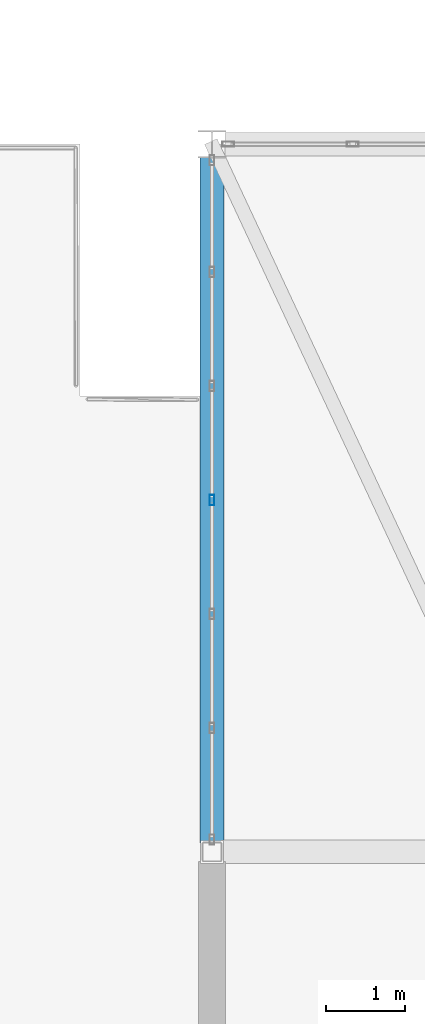
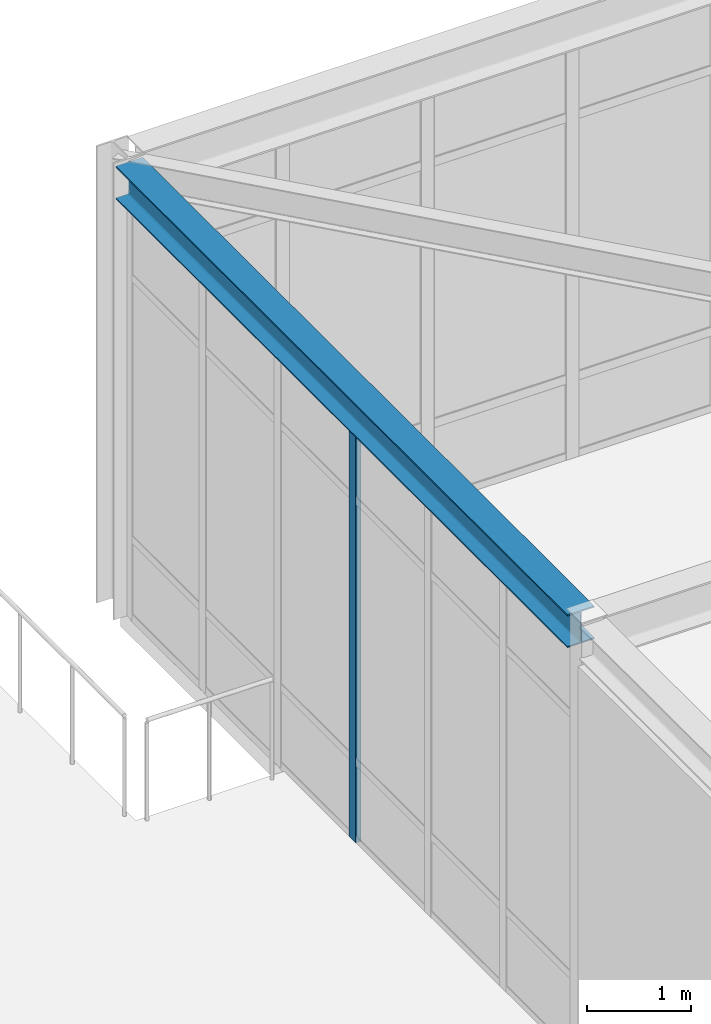
# One storey, part 64 of 121: 1 beam, 1 member, 1 element without a shape of its own.
"""IFC4 building model written with IfcOpenShell, lengths in metres."""

from ifc_helpers import new_model, si_unit, direction, frame, origin, origin_2d, place, context, subcontext, project, spatial, hollow_rectangle, i_section, extrude, material, material_profile, profile_set, type_object, element, aggregate, save


model = new_model("IFC4")

# Units and contexts
model_context = context("Model", 3, precision=1e-05, world=origin(), true_north=direction((0.0, 1.0)))
body_context = subcontext(model_context, "Body", "Model", "MODEL_VIEW")
ifc_project = project(units=[si_unit("LENGTHUNIT", "METRE"), si_unit("AREAUNIT", "SQUARE_METRE"), si_unit("VOLUMEUNIT", "CUBIC_METRE"), si_unit("PLANEANGLEUNIT", "RADIAN"), si_unit("MASSUNIT", "GRAM", prefix="KILO")], contexts=[model_context])

# Site, building, storey
site_placement = place(None, origin())
site = spatial("IfcSite", under=ifc_project, at=site_placement, CompositionType="ELEMENT")
building_placement = place(site_placement, origin())
building = spatial("IfcBuilding", under=site, at=building_placement, Name="Canglan Escarpment Cableway Terminal", CompositionType="ELEMENT")
storey_placement = place(building_placement, frame((0.0, 0.0, 24.60009765625)))
storey = spatial("IfcBuildingStorey", under=building, at=storey_placement, Name="L05", CompositionType="ELEMENT", Elevation=24.60009765625)

# Beam
ifc_material_1 = material(Name="Steel Q355B", Category="steel")
ifc_material_profile_1 = material_profile(ifc_material_1, i_section(OverallWidth=0.300048828125, OverallDepth=0.389892578125, WebThickness=0.010009765625, FlangeThickness=0.01611328125, FilletRadius=0.02197265625, at=origin_2d()), Name="HM 390x300x10x16")
ifc_profile_set_1 = profile_set([ifc_material_profile_1], Name="Steel Q355B")
beam_type = type_object("IfcBeamType", Name="BM-HM390", PredefinedType="BEAM", material=ifc_profile_set_1)
beam_placement = place(storey_placement, frame((119.89990234375, 106.114990234375, 5.139892578125), z_axis=(0.0, 1.0, 0.0), x_axis=(-1.0, 0.0, 0.0)))
element("IfcBeam", 1, at=beam_placement, inside=storey, type_object=beam_type, Name="Drive House roof transverse tie girder B-11", PredefinedType="BEAM", context=body_context, shape_type="SweptSolid", body=[
    extrude(i_section(OverallWidth=0.300048828125, OverallDepth=0.389892578125, WebThickness=0.010009765625, FlangeThickness=0.01611328125, FilletRadius=0.02197265625, at=origin_2d()), origin(), (0.0, 0.0, 1.0), 8.719970703125),
])

# Curtain wall, member
ifc_material_2 = material(Name="Anodized bronze aluminium and Low-E double glazing", Category="aluminium")
curtain_wall_type = type_object("IfcCurtainWallType", Name="CW-BAY-8700x4875", PredefinedType="NOTDEFINED", material=ifc_material_2)
curtain_wall_placement = place(storey_placement, origin())
curtain_wall = element("IfcCurtainWall", 2, at=curtain_wall_placement, inside=storey, type_object=curtain_wall_type, Name="Classical bay-between-piers glazed curtain wall CW-61", PredefinedType="NOTDEFINED")
ifc_material_3 = material(Name="Thermally broken anodized aluminium 6063-T6", Category="aluminium")
ifc_material_profile_2 = material_profile(ifc_material_3, hollow_rectangle(XDim=0.06005859375, YDim=0.1298828125, WallThickness=0.0029296875, InnerFilletRadius=0.0029296875, OuterFilletRadius=0.006103515625, at=origin_2d()), Name="ALU-MULL 60x130x3")
ifc_profile_set_2 = profile_set([ifc_material_profile_2], Name="Thermally broken anodized aluminium 6063-T6")
member_type = type_object("IfcMemberType", Name="CWM-01", PredefinedType="MULLION", material=ifc_profile_set_2)
member_placement = place(storey_placement, frame((119.89990234375, 110.47509765625, 0.0), z_axis=(0.0, 0.0, 1.0), x_axis=(1.0, 0.0, 0.0)))
member = element("IfcMember", 3, at=member_placement, type_object=member_type, Name="CW-61 mullion 4", PredefinedType="MULLION", context=body_context, shape_type="SweptSolid", body=[
    extrude(hollow_rectangle(XDim=0.06005859375, YDim=0.1298828125, WallThickness=0.0029296875, InnerFilletRadius=0.0029296875, OuterFilletRadius=0.006103515625, at=origin_2d()), origin(), (0.0, 0.0, 1.0), 4.880859375),
])
aggregate(curtain_wall, [member])

save(model, "model.ifc")
